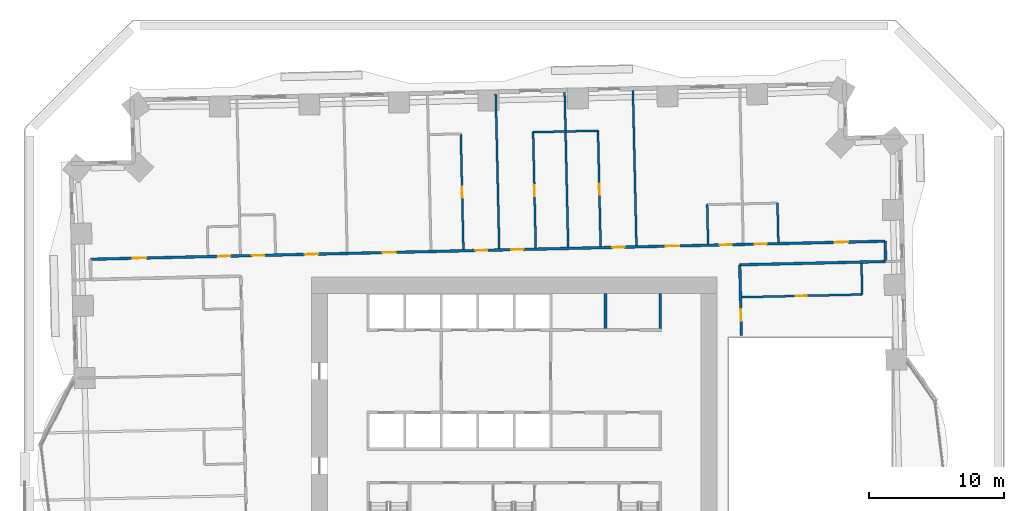
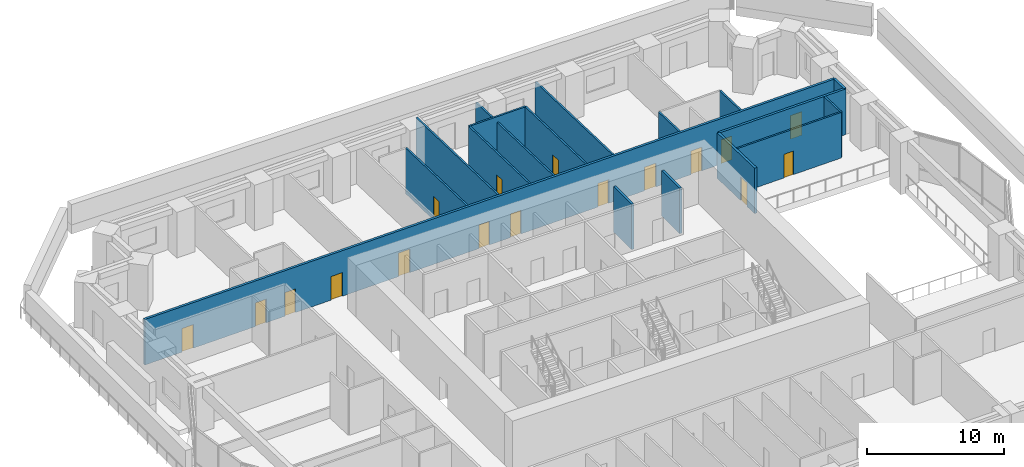
# One storey, part 15 of 21: 17 doors, 17 walls, 17 openings.
"""IFC4 building model written with IfcOpenShell, lengths in metres."""

from ifc_helpers import new_model, si_unit, direction, frame, frame_2d, origin, place, context, subcontext, project, spatial, rectangle, extrude, material, layer, layer_set, type_object, element, fill, save


model = new_model("IFC4")

# Units and contexts
model_context = context("Model", 3, precision=1e-05, world=origin(), true_north=direction((0.0, 1.0)))
body_context = subcontext(model_context, "Body", "Model", "MODEL_VIEW")
ifc_project = project(units=[si_unit("LENGTHUNIT", "METRE"), si_unit("AREAUNIT", "SQUARE_METRE"), si_unit("VOLUMEUNIT", "CUBIC_METRE"), si_unit("PLANEANGLEUNIT", "RADIAN"), si_unit("MASSUNIT", "GRAM", prefix="KILO")], contexts=[model_context])

# Site, building, storey
site_placement = place(None, origin())
site = spatial("IfcSite", under=ifc_project, at=site_placement, CompositionType="ELEMENT")
building_placement = place(site_placement, origin())
building = spatial("IfcBuilding", under=site, at=building_placement, Name="Mangrove Gate Tower", CompositionType="ELEMENT")
storey_placement = place(building_placement, frame((0.0, 0.0, 29.5)))
storey = spatial("IfcBuildingStorey", under=building, at=storey_placement, Name="L06", CompositionType="ELEMENT", Elevation=29.5)

# Walls
ifc_material_1 = material(Name="Concrete C32/40", Category="concrete")
ifc_layer_1 = layer(ifc_material_1, 0.199951171875)
ifc_layer_set_1 = layer_set([ifc_layer_1], Name="Core room wall 200 C32/40")
wall_type_1 = type_object("IfcWallType", Name="Core room wall 200 C32/40", PredefinedType="STANDARD", material=ifc_layer_set_1)
for number, where, z_axis, x_axis, name in (
    (1, (6.75, 8.199951171875, 0.0), (0.0, 0.0, 1.0), (0.0, 1.0, 0.0), "WALL-L06-CORE-33"),
    (2, (10.800048828125, 8.199951171875, 0.0), (0.0, 0.0, 1.0), (0.0, 1.0, 0.0), "WALL-L06-CORE-34"),
):
    element("IfcWall", number, at=place(storey_placement, frame(where, z_axis=z_axis, x_axis=x_axis)), inside=storey, type_object=wall_type_1, Name=name, PredefinedType="STANDARD", context=body_context, shape_type="SweptSolid", body=[
        extrude(rectangle(XDim=2.60009765625, YDim=0.199951171875, at=frame_2d((1.300048828125, 0.0))), origin(), (0.0, 0.0, 1.0), 4.050048828125),
    ])

# Wall, opening, door
ifc_material_2 = material(Name="Gypsum board on steel stud, EI 60", Category="steel")
ifc_layer_2 = layer(ifc_material_2, 0.199951171875)
ifc_layer_set_2 = layer_set([ifc_layer_2], Name="Corridor wall EI 60")
wall_type_2 = type_object("IfcWallType", Name="Corridor wall EI 60", PredefinedType="PARTITIONING", material=ifc_layer_set_2)
wall_1_placement = place(storey_placement, frame((16.802978515625, 7.675048828125, 0.0), z_axis=(0.0, 0.0, 1.0), x_axis=(-0.022667483124, 0.999743059595, 0.0)))
wall_1 = element("IfcWall", 3, at=wall_1_placement, inside=storey, type_object=wall_type_2, Name="WALL-L06-037", PredefinedType="PARTITIONING", context=body_context, shape_type="SweptSolid", body=[
    extrude(rectangle(XDim=5.245361328125, YDim=0.199951171875, at=frame_2d((2.62255859375, 0.0))), origin(), (0.0, 0.0, 1.0), 4.050048828125),
])
opening_1_placement = place(wall_1_placement, frame((1.074951171875, 0.0, 0.0)))
opening_1 = element("IfcOpeningElement", 4, at=opening_1_placement, cuts=wall_1, Name="Opening BD", PredefinedType="OPENING", context=body_context, shape_type="SweptSolid", body=[
    extrude(rectangle(XDim=0.89990234375, YDim=2.10009765625, at=frame_2d((0.449951171875, 1.050048828125))), frame((0.0, 0.10986328125, 0.0), z_axis=(0.0, -1.0, 0.0), x_axis=(1.0, 0.0, 0.0)), (0.0, 0.0, 1.0), 0.219970703125),
])
ifc_material_3 = material(Name="Timber door leaf", Category="wood")
door_type_1 = type_object("IfcDoorType", Name="Bedroom door 900", OperationType="SINGLE_SWING_LEFT", PredefinedType="DOOR", material=ifc_material_3)
door_1_placement = place(opening_1_placement, origin())
door_1 = element("IfcDoor", 5, at=door_1_placement, inside=storey, type_object=door_type_1, Name="DOOR-L06-BED-c305", OperationType="SINGLE_SWING_LEFT", OverallHeight=2.10009765625, OverallWidth=0.89990234375, PredefinedType="DOOR", context=body_context, shape_type="SweptSolid", body=[
    extrude(rectangle(XDim=0.89990234375, YDim=2.10009765625, at=frame_2d((0.449951171875, 1.050048828125))), frame((0.0, 0.02490234375, 0.0), z_axis=(0.0, -1.0, 0.0), x_axis=(1.0, 0.0, 0.0)), (0.0, 0.0, 1.0), 0.050048828125),
])
fill(opening_1, door_1)

# Walls
wall_2_placement = place(storey_placement, frame((16.678955078125, 12.91796875, 0.0), z_axis=(0.0, 0.0, 1.0), x_axis=(0.999742162372, 0.022707020428, 0.0)))
element("IfcWall", 6, at=wall_2_placement, inside=storey, type_object=wall_type_2, Name="WALL-L06-045", PredefinedType="PARTITIONING", context=body_context, shape_type="SweptSolid", body=[
    extrude(rectangle(XDim=10.794677734375, YDim=0.199951171875, at=frame_2d((5.3974609375, 0.0))), origin(), (0.0, 0.0, 1.0), 4.050048828125),
])
wall_3_placement = place(storey_placement, frame((27.470947265625, 13.1630859375, 0.0), z_axis=(0.0, 0.0, 1.0), x_axis=(-0.022617910375, 0.999744182344, 0.0)))
element("IfcWall", 7, at=wall_3_placement, inside=storey, type_object=wall_type_2, Name="WALL-L06-047", PredefinedType="PARTITIONING", context=body_context, shape_type="SweptSolid", body=[
    extrude(rectangle(XDim=1.50048828125, YDim=0.199951171875, at=frame_2d((0.750244140625, 0.0))), origin(), (0.0, 0.0, 1.0), 4.050048828125),
])

# Wall, openings, doors
wall_4_placement = place(storey_placement, frame((-31.346923828125, 13.3291015625, 0.0), z_axis=(0.0, 0.0, 1.0), x_axis=(0.999742613079, 0.022687168058, 0.0)))
wall_4 = element("IfcWall", 8, at=wall_4_placement, inside=storey, type_object=wall_type_2, Name="WALL-L06-048", PredefinedType="PARTITIONING", context=body_context, shape_type="SweptSolid", body=[
    extrude(rectangle(XDim=58.799072265625, YDim=0.199951171875, at=frame_2d((29.3994140625, 0.0))), origin(), (0.0, 0.0, 1.0), 4.050048828125),
])
opening_2_placement = place(wall_4_placement, frame((55.050048828125, 0.0, 0.0)))
opening_2 = element("IfcOpeningElement", 9, at=opening_2_placement, cuts=wall_4, Name="Opening AD", PredefinedType="OPENING", context=body_context, shape_type="SweptSolid", body=[
    extrude(rectangle(XDim=1.0, YDim=2.10009765625, at=frame_2d((0.5, 1.050048828125))), frame((0.0, 0.10986328125, 0.0), z_axis=(0.0, -1.0, 0.0), x_axis=(1.0, 0.0, 0.0)), (0.0, 0.0, 1.0), 0.219970703125),
])
opening_3_placement = place(wall_4_placement, frame((49.14990234375, 0.0, 0.0)))
opening_3 = element("IfcOpeningElement", 10, at=opening_3_placement, cuts=wall_4, Name="Opening SD", PredefinedType="OPENING", context=body_context, shape_type="SweptSolid", body=[
    extrude(rectangle(XDim=0.89990234375, YDim=2.10009765625, at=frame_2d((0.449951171875, 1.050048828125))), frame((0.0, 0.10986328125, 0.0), z_axis=(0.0, -1.0, 0.0), x_axis=(1.0, 0.0, 0.0)), (0.0, 0.0, 1.0), 0.219970703125),
])
opening_4_placement = place(wall_4_placement, frame((42.550048828125, 0.0, 0.0)))
opening_4 = element("IfcOpeningElement", 11, at=opening_4_placement, cuts=wall_4, Name="Opening AD", PredefinedType="OPENING", context=body_context, shape_type="SweptSolid", body=[
    extrude(rectangle(XDim=1.0, YDim=2.10009765625, at=frame_2d((0.5, 1.050048828125))), frame((0.0, 0.10986328125, 0.0), z_axis=(0.0, -1.0, 0.0), x_axis=(1.0, 0.0, 0.0)), (0.0, 0.0, 1.0), 0.219970703125),
])
opening_5_placement = place(wall_4_placement, frame((46.550048828125, 0.0, 0.0)))
opening_5 = element("IfcOpeningElement", 12, at=opening_5_placement, cuts=wall_4, Name="Opening SD", PredefinedType="OPENING", context=body_context, shape_type="SweptSolid", body=[
    extrude(rectangle(XDim=0.89990234375, YDim=2.10009765625, at=frame_2d((0.449951171875, 1.050048828125))), frame((0.0, 0.10986328125, 0.0), z_axis=(0.0, -1.0, 0.0), x_axis=(1.0, 0.0, 0.0)), (0.0, 0.0, 1.0), 0.219970703125),
])
opening_6_placement = place(wall_4_placement, frame((38.625, 0.0, 0.0)))
opening_6 = element("IfcOpeningElement", 13, at=opening_6_placement, cuts=wall_4, Name="Opening BD", PredefinedType="OPENING", context=body_context, shape_type="SweptSolid", body=[
    extrude(rectangle(XDim=0.89990234375, YDim=2.10009765625, at=frame_2d((0.449951171875, 1.050048828125))), frame((0.0, 0.10986328125, 0.0), z_axis=(0.0, -1.0, 0.0), x_axis=(1.0, 0.0, 0.0)), (0.0, 0.0, 1.0), 0.219970703125),
])
opening_7_placement = place(wall_4_placement, frame((31.14990234375, 0.0, 0.0)))
opening_7 = element("IfcOpeningElement", 14, at=opening_7_placement, cuts=wall_4, Name="Opening BD", PredefinedType="OPENING", context=body_context, shape_type="SweptSolid", body=[
    extrude(rectangle(XDim=0.89990234375, YDim=2.10009765625, at=frame_2d((0.449951171875, 1.050048828125))), frame((0.0, 0.10986328125, 0.0), z_axis=(0.0, -1.0, 0.0), x_axis=(1.0, 0.0, 0.0)), (0.0, 0.0, 1.0), 0.219970703125),
])
opening_8_placement = place(wall_4_placement, frame((28.47509765625, 0.0, 0.0)))
opening_8 = element("IfcOpeningElement", 15, at=opening_8_placement, cuts=wall_4, Name="Opening BD", PredefinedType="OPENING", context=body_context, shape_type="SweptSolid", body=[
    extrude(rectangle(XDim=0.89990234375, YDim=2.10009765625, at=frame_2d((0.449951171875, 1.050048828125))), frame((0.0, 0.10986328125, 0.0), z_axis=(0.0, -1.0, 0.0), x_axis=(1.0, 0.0, 0.0)), (0.0, 0.0, 1.0), 0.219970703125),
])
opening_9_placement = place(wall_4_placement, frame((21.60009765625, 0.0, 0.0)))
opening_9 = element("IfcOpeningElement", 16, at=opening_9_placement, cuts=wall_4, Name="Opening AD", PredefinedType="OPENING", context=body_context, shape_type="SweptSolid", body=[
    extrude(rectangle(XDim=1.0, YDim=2.10009765625, at=frame_2d((0.5, 1.050048828125))), frame((0.0, 0.10986328125, 0.0), z_axis=(0.0, -1.0, 0.0), x_axis=(1.0, 0.0, 0.0)), (0.0, 0.0, 1.0), 0.219970703125),
])
opening_10_placement = place(wall_4_placement, frame((15.85009765625, 0.0, 0.0)))
opening_10 = element("IfcOpeningElement", 17, at=opening_10_placement, cuts=wall_4, Name="Opening AD", PredefinedType="OPENING", context=body_context, shape_type="SweptSolid", body=[
    extrude(rectangle(XDim=1.0, YDim=2.10009765625, at=frame_2d((0.5, 1.050048828125))), frame((0.0, 0.10986328125, 0.0), z_axis=(0.0, -1.0, 0.0), x_axis=(1.0, 0.0, 0.0)), (0.0, 0.0, 1.0), 0.219970703125),
])
opening_11_placement = place(wall_4_placement, frame((11.949951171875, 0.0, 0.0)))
opening_11 = element("IfcOpeningElement", 18, at=opening_11_placement, cuts=wall_4, Name="Opening SD", PredefinedType="OPENING", context=body_context, shape_type="SweptSolid", body=[
    extrude(rectangle(XDim=0.89990234375, YDim=2.10009765625, at=frame_2d((0.449951171875, 1.050048828125))), frame((0.0, 0.10986328125, 0.0), z_axis=(0.0, -1.0, 0.0), x_axis=(1.0, 0.0, 0.0)), (0.0, 0.0, 1.0), 0.219970703125),
])
opening_12_placement = place(wall_4_placement, frame((3.14990234375, 0.0, 0.0)))
opening_12 = element("IfcOpeningElement", 19, at=opening_12_placement, cuts=wall_4, Name="Opening AD", PredefinedType="OPENING", context=body_context, shape_type="SweptSolid", body=[
    extrude(rectangle(XDim=1.0, YDim=2.10009765625, at=frame_2d((0.5, 1.050048828125))), frame((0.0, 0.10986328125, 0.0), z_axis=(0.0, -1.0, 0.0), x_axis=(1.0, 0.0, 0.0)), (0.0, 0.0, 1.0), 0.219970703125),
])
opening_13_placement = place(wall_4_placement, frame((9.449951171875, 0.0, 0.0)))
opening_13 = element("IfcOpeningElement", 20, at=opening_13_placement, cuts=wall_4, Name="Opening SD", PredefinedType="OPENING", context=body_context, shape_type="SweptSolid", body=[
    extrude(rectangle(XDim=0.89990234375, YDim=2.10009765625, at=frame_2d((0.449951171875, 1.050048828125))), frame((0.0, 0.10986328125, 0.0), z_axis=(0.0, -1.0, 0.0), x_axis=(1.0, 0.0, 0.0)), (0.0, 0.0, 1.0), 0.219970703125),
])
ifc_material_4 = material(Name="Timber door leaf", Category="wood")
door_type_2 = type_object("IfcDoorType", Name="Amenity door 1000", OperationType="SINGLE_SWING_LEFT", PredefinedType="DOOR", material=ifc_material_4)
door_2_placement = place(opening_2_placement, origin())
door_2 = element("IfcDoor", 21, at=door_2_placement, inside=storey, type_object=door_type_2, Name="DOOR-L06-GAM-c4a", OperationType="SINGLE_SWING_RIGHT", OverallHeight=2.10009765625, OverallWidth=1.0, PredefinedType="DOOR", context=body_context, shape_type="SweptSolid", body=[
    extrude(rectangle(XDim=1.0, YDim=2.10009765625, at=frame_2d((0.5, 1.050048828125))), frame((0.0, 0.02490234375, 0.0), z_axis=(0.0, -1.0, 0.0), x_axis=(1.0, 0.0, 0.0)), (0.0, 0.0, 1.0), 0.050048828125),
])
fill(opening_2, door_2)
door_3_placement = place(opening_4_placement, origin())
door_3 = element("IfcDoor", 22, at=door_3_placement, inside=storey, type_object=door_type_2, Name="DOOR-L06-GAM-c4b", OperationType="SINGLE_SWING_LEFT", OverallHeight=2.10009765625, OverallWidth=1.0, PredefinedType="DOOR", context=body_context, shape_type="SweptSolid", body=[
    extrude(rectangle(XDim=1.0, YDim=2.10009765625, at=frame_2d((0.5, 1.050048828125))), frame((0.0, 0.02490234375, 0.0), z_axis=(0.0, -1.0, 0.0), x_axis=(1.0, 0.0, 0.0)), (0.0, 0.0, 1.0), 0.050048828125),
])
fill(opening_4, door_3)
door_4_placement = place(opening_9_placement, origin())
door_4 = element("IfcDoor", 23, at=door_4_placement, inside=storey, type_object=door_type_2, Name="DOOR-L06-KIT-c5a", OperationType="SINGLE_SWING_RIGHT", OverallHeight=2.10009765625, OverallWidth=1.0, PredefinedType="DOOR", context=body_context, shape_type="SweptSolid", body=[
    extrude(rectangle(XDim=1.0, YDim=2.10009765625, at=frame_2d((0.5, 1.050048828125))), frame((0.0, 0.02490234375, 0.0), z_axis=(0.0, -1.0, 0.0), x_axis=(1.0, 0.0, 0.0)), (0.0, 0.0, 1.0), 0.050048828125),
])
fill(opening_9, door_4)
door_5_placement = place(opening_10_placement, origin())
door_5 = element("IfcDoor", 24, at=door_5_placement, inside=storey, type_object=door_type_2, Name="DOOR-L06-GAM-c5a", OperationType="SINGLE_SWING_LEFT", OverallHeight=2.10009765625, OverallWidth=1.0, PredefinedType="DOOR", context=body_context, shape_type="SweptSolid", body=[
    extrude(rectangle(XDim=1.0, YDim=2.10009765625, at=frame_2d((0.5, 1.050048828125))), frame((0.0, 0.02490234375, 0.0), z_axis=(0.0, -1.0, 0.0), x_axis=(1.0, 0.0, 0.0)), (0.0, 0.0, 1.0), 0.050048828125),
])
fill(opening_10, door_5)
door_6_placement = place(opening_12_placement, origin())
door_6 = element("IfcDoor", 25, at=door_6_placement, inside=storey, type_object=door_type_2, Name="DOOR-L06-GAM-c5b", OperationType="SINGLE_SWING_RIGHT", OverallHeight=2.10009765625, OverallWidth=1.0, PredefinedType="DOOR", context=body_context, shape_type="SweptSolid", body=[
    extrude(rectangle(XDim=1.0, YDim=2.10009765625, at=frame_2d((0.5, 1.050048828125))), frame((0.0, 0.02490234375, 0.0), z_axis=(0.0, -1.0, 0.0), x_axis=(1.0, 0.0, 0.0)), (0.0, 0.0, 1.0), 0.050048828125),
])
fill(opening_12, door_6)
door_7_placement = place(opening_6_placement, origin())
door_7 = element("IfcDoor", 26, at=door_7_placement, inside=storey, type_object=door_type_1, Name="DOOR-L06-BED-c406", OperationType="SINGLE_SWING_RIGHT", OverallHeight=2.10009765625, OverallWidth=0.89990234375, PredefinedType="DOOR", context=body_context, shape_type="SweptSolid", body=[
    extrude(rectangle(XDim=0.89990234375, YDim=2.10009765625, at=frame_2d((0.449951171875, 1.050048828125))), frame((0.0, 0.02490234375, 0.0), z_axis=(0.0, -1.0, 0.0), x_axis=(1.0, 0.0, 0.0)), (0.0, 0.0, 1.0), 0.050048828125),
])
fill(opening_6, door_7)
door_8_placement = place(opening_7_placement, origin())
door_8 = element("IfcDoor", 27, at=door_8_placement, inside=storey, type_object=door_type_1, Name="DOOR-L06-BED-c407", OperationType="SINGLE_SWING_LEFT", OverallHeight=2.10009765625, OverallWidth=0.89990234375, PredefinedType="DOOR", context=body_context, shape_type="SweptSolid", body=[
    extrude(rectangle(XDim=0.89990234375, YDim=2.10009765625, at=frame_2d((0.449951171875, 1.050048828125))), frame((0.0, 0.02490234375, 0.0), z_axis=(0.0, -1.0, 0.0), x_axis=(1.0, 0.0, 0.0)), (0.0, 0.0, 1.0), 0.050048828125),
])
fill(opening_7, door_8)
door_9_placement = place(opening_8_placement, origin())
door_9 = element("IfcDoor", 28, at=door_9_placement, inside=storey, type_object=door_type_1, Name="DOOR-L06-BED-c508", OperationType="SINGLE_SWING_RIGHT", OverallHeight=2.10009765625, OverallWidth=0.89990234375, PredefinedType="DOOR", context=body_context, shape_type="SweptSolid", body=[
    extrude(rectangle(XDim=0.89990234375, YDim=2.10009765625, at=frame_2d((0.449951171875, 1.050048828125))), frame((0.0, 0.02490234375, 0.0), z_axis=(0.0, -1.0, 0.0), x_axis=(1.0, 0.0, 0.0)), (0.0, 0.0, 1.0), 0.050048828125),
])
fill(opening_8, door_9)
ifc_material_5 = material(Name="Timber door leaf", Category="wood")
door_type_3 = type_object("IfcDoorType", Name="Service room door 900", OperationType="SINGLE_SWING_LEFT", PredefinedType="DOOR", material=ifc_material_5)
door_10_placement = place(opening_3_placement, origin())
door_10 = element("IfcDoor", 29, at=door_10_placement, inside=storey, type_object=door_type_3, Name="DOOR-L06-AWC-c4a", OperationType="SINGLE_SWING_LEFT", OverallHeight=2.10009765625, OverallWidth=0.89990234375, PredefinedType="DOOR", context=body_context, shape_type="SweptSolid", body=[
    extrude(rectangle(XDim=0.89990234375, YDim=2.10009765625, at=frame_2d((0.449951171875, 1.050048828125))), frame((0.0, 0.02490234375, 0.0), z_axis=(0.0, -1.0, 0.0), x_axis=(1.0, 0.0, 0.0)), (0.0, 0.0, 1.0), 0.050048828125),
])
fill(opening_3, door_10)
door_11_placement = place(opening_5_placement, origin())
door_11 = element("IfcDoor", 30, at=door_11_placement, inside=storey, type_object=door_type_3, Name="DOOR-L06-AWC-c4b", OperationType="SINGLE_SWING_RIGHT", OverallHeight=2.10009765625, OverallWidth=0.89990234375, PredefinedType="DOOR", context=body_context, shape_type="SweptSolid", body=[
    extrude(rectangle(XDim=0.89990234375, YDim=2.10009765625, at=frame_2d((0.449951171875, 1.050048828125))), frame((0.0, 0.02490234375, 0.0), z_axis=(0.0, -1.0, 0.0), x_axis=(1.0, 0.0, 0.0)), (0.0, 0.0, 1.0), 0.050048828125),
])
fill(opening_5, door_11)
door_12_placement = place(opening_11_placement, origin())
door_12 = element("IfcDoor", 31, at=door_12_placement, inside=storey, type_object=door_type_3, Name="DOOR-L06-AWC-c5a", OperationType="SINGLE_SWING_LEFT", OverallHeight=2.10009765625, OverallWidth=0.89990234375, PredefinedType="DOOR", context=body_context, shape_type="SweptSolid", body=[
    extrude(rectangle(XDim=0.89990234375, YDim=2.10009765625, at=frame_2d((0.449951171875, 1.050048828125))), frame((0.0, 0.02490234375, 0.0), z_axis=(0.0, -1.0, 0.0), x_axis=(1.0, 0.0, 0.0)), (0.0, 0.0, 1.0), 0.050048828125),
])
fill(opening_11, door_12)
door_13_placement = place(opening_13_placement, origin())
door_13 = element("IfcDoor", 32, at=door_13_placement, inside=storey, type_object=door_type_3, Name="DOOR-L06-LIN-c5a", OperationType="SINGLE_SWING_RIGHT", OverallHeight=2.10009765625, OverallWidth=0.89990234375, PredefinedType="DOOR", context=body_context, shape_type="SweptSolid", body=[
    extrude(rectangle(XDim=0.89990234375, YDim=2.10009765625, at=frame_2d((0.449951171875, 1.050048828125))), frame((0.0, 0.02490234375, 0.0), z_axis=(0.0, -1.0, 0.0), x_axis=(1.0, 0.0, 0.0)), (0.0, 0.0, 1.0), 0.050048828125),
])
fill(opening_13, door_13)

# Wall, opening, door
ifc_material_6 = material(Name="Gypsum board on steel stud, EI 60", Category="steel")
ifc_layer_3 = layer(ifc_material_6, 0.14990234375)
ifc_layer_set_3 = layer_set([ifc_layer_3], Name="Party wall 150 EI 60")
wall_type_3 = type_object("IfcWallType", Name="Party wall 150 EI 60", PredefinedType="PARTITIONING", material=ifc_layer_set_3)
wall_5_placement = place(storey_placement, frame((16.833984375, 10.52099609375, 0.0), z_axis=(0.0, 0.0, 1.0), x_axis=(0.999742599783, 0.022687753966, 0.0)))
wall_5 = element("IfcWall", 33, at=wall_5_placement, inside=storey, type_object=wall_type_3, Name="WALL-L06-040", PredefinedType="PARTITIONING", context=body_context, shape_type="SweptSolid", body=[
    extrude(rectangle(XDim=8.899169921875, YDim=0.14990234375, at=frame_2d((4.44970703125, 0.0))), origin(), (0.0, 0.0, 1.0), 4.050048828125),
])
opening_14_placement = place(wall_5_placement, frame((4.0, 0.0, 0.0)))
opening_14 = element("IfcOpeningElement", 34, at=opening_14_placement, cuts=wall_5, Name="Opening ED", PredefinedType="OPENING", context=body_context, shape_type="SweptSolid", body=[
    extrude(rectangle(XDim=0.800048828125, YDim=2.10009765625, at=frame_2d((0.39990234375, 1.050048828125))), frame((0.0, 0.0849609375, 0.0), z_axis=(0.0, -1.0, 0.0), x_axis=(1.0, 0.0, 0.0)), (0.0, 0.0, 1.0), 0.169921875),
])
ifc_material_7 = material(Name="Timber door leaf", Category="wood")
door_type_4 = type_object("IfcDoorType", Name="En-suite door 800", OperationType="SINGLE_SWING_LEFT", PredefinedType="DOOR", material=ifc_material_7)
door_14_placement = place(opening_14_placement, origin())
door_14 = element("IfcDoor", 35, at=door_14_placement, inside=storey, type_object=door_type_4, Name="DOOR-L06-ENS-c305", OperationType="SINGLE_SWING_LEFT", OverallHeight=2.10009765625, OverallWidth=0.800048828125, PredefinedType="DOOR", context=body_context, shape_type="SweptSolid", body=[
    extrude(rectangle(XDim=0.800048828125, YDim=2.10009765625, at=frame_2d((0.39990234375, 1.050048828125))), frame((0.0, 0.02490234375, 0.0), z_axis=(0.0, -1.0, 0.0), x_axis=(1.0, 0.0, 0.0)), (0.0, 0.0, 1.0), 0.050048828125),
])
fill(opening_14, door_14)

# Wall
wall_6_placement = place(storey_placement, frame((25.736083984375, 10.722900390625, 0.0), z_axis=(0.0, 0.0, 1.0), x_axis=(-0.022603288534, 0.999744513037, 0.0)))
element("IfcWall", 36, at=wall_6_placement, inside=storey, type_object=wall_type_3, Name="WALL-L06-041", PredefinedType="PARTITIONING", context=body_context, shape_type="SweptSolid", body=[
    extrude(rectangle(XDim=2.300537109375, YDim=0.14990234375, at=frame_2d((1.150390625, 0.0))), origin(), (0.0, 0.0, 1.0), 4.050048828125),
])

# Wall, opening, door
wall_7_placement = place(storey_placement, frame((-3.757080078125, 14.054931640625, 0.0), z_axis=(0.0, 0.0, 1.0), x_axis=(-0.022671462533, 0.999742969361, 0.0)))
wall_7 = element("IfcWall", 37, at=wall_7_placement, inside=storey, type_object=wall_type_3, Name="WALL-L06-054", PredefinedType="PARTITIONING", context=body_context, shape_type="SweptSolid", body=[
    extrude(rectangle(XDim=8.55029296875, YDim=0.14990234375, at=frame_2d((4.275146484375, 0.0))), origin(), (0.0, 0.0, 1.0), 4.050048828125),
])
opening_15_placement = place(wall_7_placement, frame((3.824951171875, 0.0, 0.0)))
opening_15 = element("IfcOpeningElement", 38, at=opening_15_placement, cuts=wall_7, Name="Opening ED", PredefinedType="OPENING", context=body_context, shape_type="SweptSolid", body=[
    extrude(rectangle(XDim=0.800048828125, YDim=2.10009765625, at=frame_2d((0.39990234375, 1.050048828125))), frame((0.0, 0.0849609375, 0.0), z_axis=(0.0, -1.0, 0.0), x_axis=(1.0, 0.0, 0.0)), (0.0, 0.0, 1.0), 0.169921875),
])
door_15_placement = place(opening_15_placement, origin())
door_15 = element("IfcDoor", 39, at=door_15_placement, inside=storey, type_object=door_type_4, Name="DOOR-L06-ENS-c508", OperationType="SINGLE_SWING_RIGHT", OverallHeight=2.10009765625, OverallWidth=0.800048828125, PredefinedType="DOOR", context=body_context, shape_type="SweptSolid", body=[
    extrude(rectangle(XDim=0.800048828125, YDim=2.10009765625, at=frame_2d((0.39990234375, 1.050048828125))), frame((0.0, 0.02490234375, 0.0), z_axis=(0.0, -1.0, 0.0), x_axis=(1.0, 0.0, 0.0)), (0.0, 0.0, 1.0), 0.050048828125),
])
fill(opening_15, door_15)

# Wall
wall_8_placement = place(storey_placement, frame((-1.10791015625, 14.114990234375, 0.0), z_axis=(0.0, 0.0, 1.0), x_axis=(-0.022623082162, 0.999744065325, 0.0)))
element("IfcWall", 40, at=wall_8_placement, inside=storey, type_object=wall_type_3, Name="WALL-L06-055", PredefinedType="PARTITIONING", context=body_context, shape_type="SweptSolid", body=[
    extrude(rectangle(XDim=11.449951171875, YDim=0.14990234375, at=frame_2d((5.72509765625, 0.0))), origin(), (0.0, 0.0, 1.0), 4.050048828125),
])

# Wall, opening, door
wall_9_placement = place(storey_placement, frame((1.592041015625, 14.176025390625, 0.0), z_axis=(0.0, 0.0, 1.0), x_axis=(-0.022700001308, 0.999742321771, 0.0)))
wall_9 = element("IfcWall", 41, at=wall_9_placement, inside=storey, type_object=wall_type_3, Name="WALL-L06-056", PredefinedType="PARTITIONING", context=body_context, shape_type="SweptSolid", body=[
    extrude(rectangle(XDim=8.55029296875, YDim=0.14990234375, at=frame_2d((4.275146484375, 0.0))), origin(), (0.0, 0.0, 1.0), 4.050048828125),
])
opening_16_placement = place(wall_9_placement, frame((3.824951171875, 0.0, 0.0)))
opening_16 = element("IfcOpeningElement", 42, at=opening_16_placement, cuts=wall_9, Name="Opening ED", PredefinedType="OPENING", context=body_context, shape_type="SweptSolid", body=[
    extrude(rectangle(XDim=0.800048828125, YDim=2.10009765625, at=frame_2d((0.39990234375, 1.050048828125))), frame((0.0, 0.0849609375, 0.0), z_axis=(0.0, -1.0, 0.0), x_axis=(1.0, 0.0, 0.0)), (0.0, 0.0, 1.0), 0.169921875),
])
door_16_placement = place(opening_16_placement, origin())
door_16 = element("IfcDoor", 43, at=door_16_placement, inside=storey, type_object=door_type_4, Name="DOOR-L06-ENS-c407", OperationType="SINGLE_SWING_LEFT", OverallHeight=2.10009765625, OverallWidth=0.800048828125, PredefinedType="DOOR", context=body_context, shape_type="SweptSolid", body=[
    extrude(rectangle(XDim=0.800048828125, YDim=2.10009765625, at=frame_2d((0.39990234375, 1.050048828125))), frame((0.0, 0.02490234375, 0.0), z_axis=(0.0, -1.0, 0.0), x_axis=(1.0, 0.0, 0.0)), (0.0, 0.0, 1.0), 0.050048828125),
])
fill(opening_16, door_16)

# Wall
wall_10_placement = place(storey_placement, frame((3.990966796875, 14.23095703125, 0.0), z_axis=(0.0, 0.0, 1.0), x_axis=(-0.022708327922, 0.999742132674, 0.0)))
element("IfcWall", 44, at=wall_10_placement, inside=storey, type_object=wall_type_3, Name="WALL-L06-057", PredefinedType="PARTITIONING", context=body_context, shape_type="SweptSolid", body=[
    extrude(rectangle(XDim=11.449951171875, YDim=0.14990234375, at=frame_2d((5.72509765625, 0.0))), origin(), (0.0, 0.0, 1.0), 3.550048828125),
])

# Wall, opening, door
wall_11_placement = place(storey_placement, frame((6.39111328125, 14.284912109375, 0.0), z_axis=(0.0, 0.0, 1.0), x_axis=(-0.022700001308, 0.999742321771, 0.0)))
wall_11 = element("IfcWall", 45, at=wall_11_placement, inside=storey, type_object=wall_type_3, Name="WALL-L06-058", PredefinedType="PARTITIONING", context=body_context, shape_type="SweptSolid", body=[
    extrude(rectangle(XDim=8.55029296875, YDim=0.14990234375, at=frame_2d((4.275146484375, 0.0))), origin(), (0.0, 0.0, 1.0), 4.050048828125),
])
opening_17_placement = place(wall_11_placement, frame((3.824951171875, 0.0, 0.0)))
opening_17 = element("IfcOpeningElement", 46, at=opening_17_placement, cuts=wall_11, Name="Opening ED", PredefinedType="OPENING", context=body_context, shape_type="SweptSolid", body=[
    extrude(rectangle(XDim=0.800048828125, YDim=2.10009765625, at=frame_2d((0.39990234375, 1.050048828125))), frame((0.0, 0.0849609375, 0.0), z_axis=(0.0, -1.0, 0.0), x_axis=(1.0, 0.0, 0.0)), (0.0, 0.0, 1.0), 0.169921875),
])
door_17_placement = place(opening_17_placement, origin())
door_17 = element("IfcDoor", 47, at=door_17_placement, inside=storey, type_object=door_type_4, Name="DOOR-L06-ENS-c406", OperationType="SINGLE_SWING_RIGHT", OverallHeight=2.10009765625, OverallWidth=0.800048828125, PredefinedType="DOOR", context=body_context, shape_type="SweptSolid", body=[
    extrude(rectangle(XDim=0.800048828125, YDim=2.10009765625, at=frame_2d((0.39990234375, 1.050048828125))), frame((0.0, 0.02490234375, 0.0), z_axis=(0.0, -1.0, 0.0), x_axis=(1.0, 0.0, 0.0)), (0.0, 0.0, 1.0), 0.050048828125),
])
fill(opening_17, door_17)

# Walls
wall_12_placement = place(storey_placement, frame((9.0400390625, 14.345947265625, 0.0), z_axis=(0.0, 0.0, 1.0), x_axis=(-0.022708327922, 0.999742132674, 0.0)))
element("IfcWall", 48, at=wall_12_placement, inside=storey, type_object=wall_type_3, Name="WALL-L06-059", PredefinedType="PARTITIONING", context=body_context, shape_type="SweptSolid", body=[
    extrude(rectangle(XDim=11.449951171875, YDim=0.14990234375, at=frame_2d((5.72509765625, 0.0))), origin(), (0.0, 0.0, 1.0), 3.550048828125),
])
for number, where, z_axis, x_axis, name in (
    (49, (14.337890625, 14.466064453125, 0.0), (0.0, 0.0, 1.0), (-0.022396267458, 0.999749172145, 0.0), "WALL-L06-060"),
    (50, (19.537109375, 14.583984375, 0.0), (0.0, 0.0, 1.0), (-0.022817032779, 0.999739657619, 0.0), "WALL-L06-062"),
):
    element("IfcWall", number, at=place(storey_placement, frame(where, z_axis=z_axis, x_axis=x_axis)), inside=storey, type_object=wall_type_3, Name=name, PredefinedType="PARTITIONING", context=body_context, shape_type="SweptSolid", body=[
        extrude(rectangle(XDim=2.899658203125, YDim=0.14990234375, at=frame_2d((1.44970703125, 0.0))), origin(), (0.0, 0.0, 1.0), 4.050048828125),
    ])
wall_13_placement = place(storey_placement, frame((1.39794921875, 22.72412109375, 0.0), z_axis=(0.0, 0.0, 1.0), x_axis=(0.999742701292, 0.022683280499, 0.0)))
element("IfcWall", 51, at=wall_13_placement, inside=storey, type_object=wall_type_3, Name="WALL-L06-067", PredefinedType="PARTITIONING", context=body_context, shape_type="SweptSolid", body=[
    extrude(rectangle(XDim=4.80029296875, YDim=0.14990234375, at=frame_2d((2.400146484375, 0.0))), origin(), (0.0, 0.0, 1.0), 4.050048828125),
])

save(model, "model.ifc")
